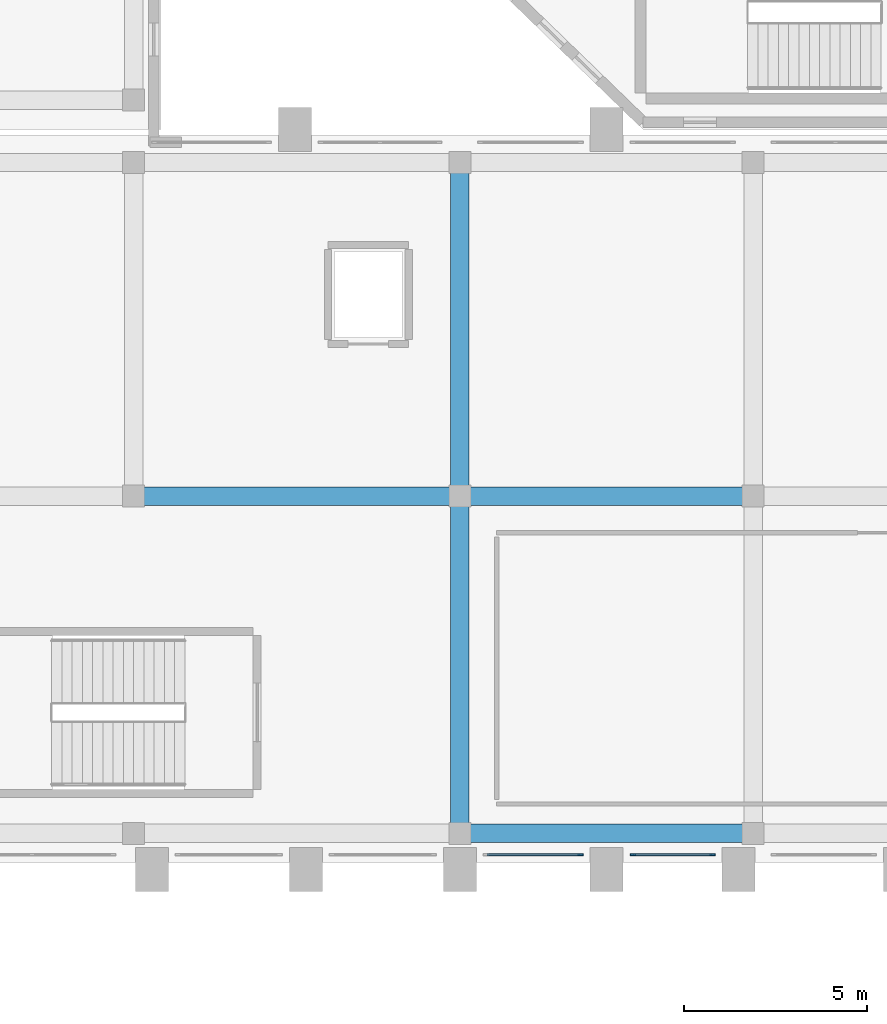
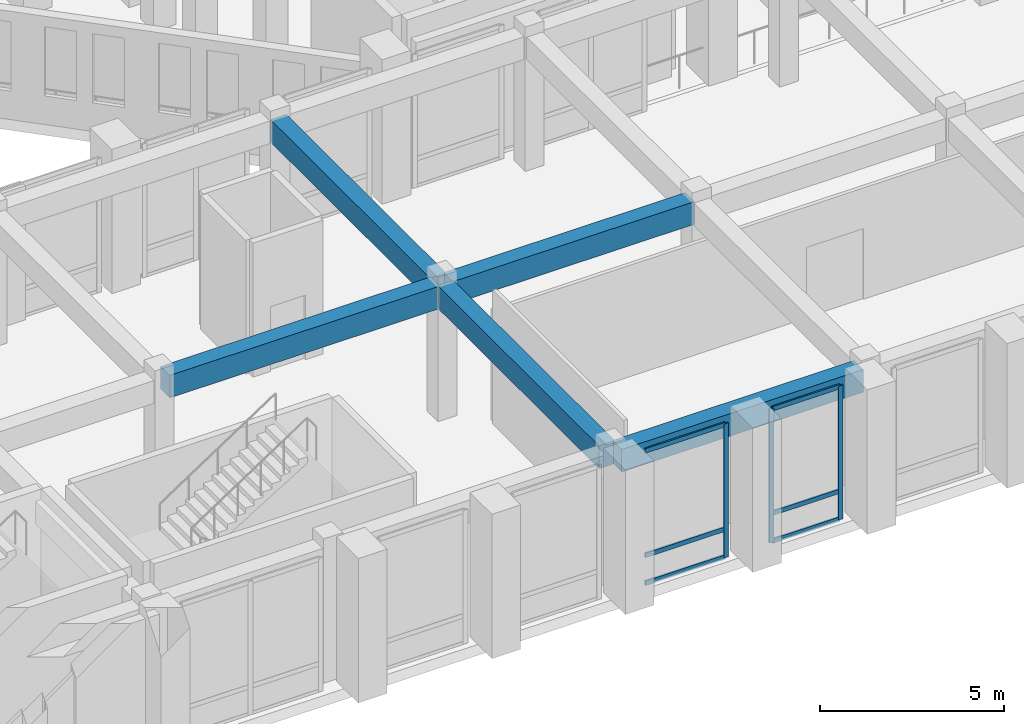
# One storey, part 15 of 126: 9 members, 5 beams, 2 elements without a shape of their own.
"""IFC4 building model written with IfcOpenShell, lengths in metres."""

from ifc_helpers import new_model, si_unit, derived_unit, direction, frame, origin, origin_2d, place, context, subcontext, project, spatial, rectangle, extrude, material, layer, layer_set, material_profile, profile_set, type_object, element, aggregate, save


model = new_model("IFC4")

# Units and contexts
model_context = context("Model", 3, precision=1e-05, world=origin(), true_north=direction((0.0, 1.0)))
body_context = subcontext(model_context, "Body", "Model", "MODEL_VIEW")
ifc_project = project(units=[si_unit("LENGTHUNIT", "METRE"), si_unit("AREAUNIT", "SQUARE_METRE"), si_unit("VOLUMEUNIT", "CUBIC_METRE"), si_unit("PLANEANGLEUNIT", "RADIAN"), si_unit("MASSUNIT", "GRAM", prefix="KILO"), derived_unit("THERMALTRANSMITTANCEUNIT", [(si_unit("MASSUNIT", "GRAM", prefix="KILO"), 1), (si_unit("TIMEUNIT", "SECOND"), -3), (si_unit("THERMODYNAMICTEMPERATUREUNIT", "KELVIN"), -1)])], contexts=[model_context])

# Site, building, storey
site_placement = place(None, origin())
site = spatial("IfcSite", under=ifc_project, at=site_placement, CompositionType="ELEMENT")
building_placement = place(site_placement, origin())
building = spatial("IfcBuilding", under=site, at=building_placement, Name="Valcora Ridge Arena", CompositionType="ELEMENT")
storey_placement = place(building_placement, frame((0.0, 0.0, 11.39990234375)))
storey = spatial("IfcBuildingStorey", under=building, at=storey_placement, Name="L02", CompositionType="ELEMENT", Elevation=11.39990234375)

# Beams
ifc_material_1 = material(Name="Concrete C40/50", Category="concrete")
ifc_material_profile_1 = material_profile(ifc_material_1, rectangle(XDim=0.5, YDim=0.75, at=origin_2d()), Name="RC 500x750")
ifc_profile_set_1 = profile_set([ifc_material_profile_1], Name="Concrete C40/50")
beam_type_1 = type_object("IfcBeamType", Name="TY-BEAM-B-RC500-X", PredefinedType="BEAM", material=ifc_profile_set_1)
beam_1_placement = place(storey_placement, frame((15.300048828125, 10.0, 4.0751953125), z_axis=(1.0, 0.0, 0.0), x_axis=(0.0, 1.0, 0.0)))
element("IfcBeam", 1, at=beam_1_placement, inside=storey, type_object=beam_type_1, Name="B-RC500-X BEM-B-RC500-X-0055", PredefinedType="BEAM", context=body_context, shape_type="SweptSolid", body=[
    extrude(rectangle(XDim=0.5, YDim=0.75, at=origin_2d()), origin(), (0.0, 0.0, 1.0), 8.5),
])
beam_2_placement = place(storey_placement, frame((24.199951171875, 10.0, 4.0751953125), z_axis=(1.0, 0.0, 0.0), x_axis=(0.0, 1.0, 0.0)))
element("IfcBeam", 2, at=beam_2_placement, inside=storey, type_object=beam_type_1, Name="B-RC500-X BEM-B-RC500-X-0056", PredefinedType="BEAM", context=body_context, shape_type="SweptSolid", body=[
    extrude(rectangle(XDim=0.5, YDim=0.75, at=origin_2d()), origin(), (0.0, 0.0, 1.0), 7.60009765625),
])
ifc_material_profile_2 = material_profile(ifc_material_1, rectangle(XDim=0.5, YDim=0.75, at=origin_2d()), Name="RC 500x750")
ifc_profile_set_2 = profile_set([ifc_material_profile_2], Name="Concrete C40/50")
beam_type_2 = type_object("IfcBeamType", Name="TY-BEAM-B-RC500-Y", PredefinedType="BEAM", material=ifc_profile_set_2)
beam_3_placement = place(storey_placement, frame((24.0, 1.0, 4.0751953125), z_axis=(0.0, 1.0, 0.0), x_axis=(-1.0, 0.0, 0.0)))
element("IfcBeam", 3, at=beam_3_placement, inside=storey, type_object=beam_type_2, Name="B-RC500-Y BEM-B-RC500-Y-0084", PredefinedType="BEAM", context=body_context, shape_type="SweptSolid", body=[
    extrude(rectangle(XDim=0.5, YDim=0.75, at=origin_2d()), origin(), (0.0, 0.0, 1.0), 8.800048828125),
])
beam_4_placement = place(storey_placement, frame((24.0, 10.199951171875, 4.0751953125), z_axis=(0.0, 1.0, 0.0), x_axis=(-1.0, 0.0, 0.0)))
element("IfcBeam", 4, at=beam_4_placement, inside=storey, type_object=beam_type_2, Name="B-RC500-Y BEM-B-RC500-Y-0085", PredefinedType="BEAM", context=body_context, shape_type="SweptSolid", body=[
    extrude(rectangle(XDim=0.5, YDim=0.75, at=origin_2d()), origin(), (0.0, 0.0, 1.0), 8.699951171875),
])
ifc_material_profile_3 = material_profile(ifc_material_1, rectangle(XDim=0.5, YDim=0.75, at=origin_2d()), Name="RC 500x750")
ifc_profile_set_3 = profile_set([ifc_material_profile_3], Name="Concrete C40/50")
beam_type_3 = type_object("IfcBeamType", Name="TY-BEAM-EB-RC500", PredefinedType="BEAM", material=ifc_profile_set_3)
beam_5_placement = place(storey_placement, frame((24.199951171875, 0.800048828125, 4.0751953125), z_axis=(1.0, 0.0, 0.0), x_axis=(0.0, 1.0, 0.0)))
element("IfcBeam", 5, at=beam_5_placement, inside=storey, type_object=beam_type_3, Name="EB-RC500 BEM-EB-RC500-0022", PredefinedType="BEAM", context=body_context, shape_type="SweptSolid", body=[
    extrude(rectangle(XDim=0.5, YDim=0.75, at=origin_2d()), origin(), (0.0, 0.0, 1.0), 7.60009765625),
])

# Curtain wall, member
ifc_material_2 = material(Name="Anodised dark bronze architectural aluminium 6063-T6", Category="aluminium")
ifc_layer_1 = layer(ifc_material_2, 0.14990234375, Name="Anodised dark bronze architectural aluminium 6063-T6")
ifc_layer_set_1 = layer_set([ifc_layer_1], Name="Anodised dark bronze architectural aluminium 6063-T6")
curtain_wall_type_1 = type_object("IfcCurtainWallType", Name="TY-CURTAINWALL-CW-V4-CLUB-026X44", PredefinedType="NOTDEFINED", material=ifc_layer_set_1)
curtain_wall_1_placement = place(storey_placement, origin())
curtain_wall_1 = element("IfcCurtainWall", 6, at=curtain_wall_1_placement, inside=storey, type_object=curtain_wall_type_1, Name="CW-V4-CLUB-026X44 CW-0240", PredefinedType="NOTDEFINED")
ifc_material_profile_4 = material_profile(ifc_material_2, rectangle(XDim=0.050048828125, YDim=0.14990234375, at=origin_2d()), Name="ALU MULLION 50x150")
ifc_profile_set_4 = profile_set([ifc_material_profile_4], Name="Anodised dark bronze architectural aluminium 6063-T6")
member_type_1 = type_object("IfcMemberType", Name="TY-MEM-CWM-50x150", PredefinedType="MULLION", material=ifc_profile_set_4)
member_1_placement = place(storey_placement, frame((27.284912109375, 0.219970703125, 0.0), z_axis=(0.0, 0.0, 1.0), x_axis=(0.0, 1.0, 0.0)))
member_1 = element("IfcMember", 7, at=member_1_placement, type_object=member_type_1, Name="CW-0240/CWM-50x150/M01", PredefinedType="MULLION", context=body_context, shape_type="SweptSolid", body=[
    extrude(rectangle(XDim=0.050048828125, YDim=0.14990234375, at=origin_2d()), origin(), (0.0, 0.0, 1.0), 4.4501953125),
])

# Curtain wall, members
ifc_layer_2 = layer(ifc_material_2, 0.14990234375, Name="Anodised dark bronze architectural aluminium 6063-T6")
ifc_layer_set_2 = layer_set([ifc_layer_2], Name="Anodised dark bronze architectural aluminium 6063-T6")
curtain_wall_type_2 = type_object("IfcCurtainWallType", Name="TY-CURTAINWALL-CW-V4-CLUB-022X44", PredefinedType="NOTDEFINED", material=ifc_layer_set_2)
curtain_wall_2_placement = place(storey_placement, origin())
curtain_wall_2 = element("IfcCurtainWall", 8, at=curtain_wall_2_placement, inside=storey, type_object=curtain_wall_type_2, Name="CW-V4-CLUB-022X44 CW-0241", PredefinedType="NOTDEFINED")
member_2_placement = place(storey_placement, frame((28.715087890625, 0.219970703125, 0.0), z_axis=(0.0, 0.0, 1.0), x_axis=(0.0, 1.0, 0.0)))
member_2 = element("IfcMember", 9, at=member_2_placement, type_object=member_type_1, Name="CW-0241/CWM-50x150/M00", PredefinedType="MULLION", context=body_context, shape_type="SweptSolid", body=[
    extrude(rectangle(XDim=0.050048828125, YDim=0.14990234375, at=origin_2d()), origin(), (0.0, 0.0, 1.0), 4.4501953125),
])
member_3_placement = place(storey_placement, frame((30.885009765625, 0.219970703125, 0.0), z_axis=(0.0, 0.0, 1.0), x_axis=(0.0, 1.0, 0.0)))
member_3 = element("IfcMember", 10, at=member_3_placement, type_object=member_type_1, Name="CW-0241/CWM-50x150/M01", PredefinedType="MULLION", context=body_context, shape_type="SweptSolid", body=[
    extrude(rectangle(XDim=0.050048828125, YDim=0.14990234375, at=origin_2d()), origin(), (0.0, 0.0, 1.0), 4.4501953125),
])

# Member
ifc_material_profile_5 = material_profile(ifc_material_2, rectangle(XDim=0.050048828125, YDim=0.14990234375, at=origin_2d()), Name="ALU TRANSOM 50x150")
ifc_profile_set_5 = profile_set([ifc_material_profile_5], Name="Anodised dark bronze architectural aluminium 6063-T6")
member_type_2 = type_object("IfcMemberType", Name="TY-MEM-CWT-50x150", PredefinedType="USERDEFINED", material=ifc_profile_set_5)
member_4_placement = place(storey_placement, frame((24.739990234375, 0.219970703125, 0.025146484375), z_axis=(1.0, 0.0, 0.0), x_axis=(0.0, 1.0, 0.0)))
member_4 = element("IfcMember", 11, at=member_4_placement, type_object=member_type_2, Name="CW-0240/CWT-50x150/T00-00", ObjectType="TRANSOM", PredefinedType="USERDEFINED", context=body_context, shape_type="SweptSolid", body=[
    extrude(rectangle(XDim=0.050048828125, YDim=0.14990234375, at=origin_2d()), origin(), (0.0, 0.0, 1.0), 2.52001953125),
])

member_5_placement = place(storey_placement, frame((24.739990234375, 0.219970703125, 0.9501953125), z_axis=(1.0, 0.0, 0.0), x_axis=(0.0, 1.0, 0.0)))
member_5 = element("IfcMember", 12, at=member_5_placement, type_object=member_type_2, Name="CW-0240/CWT-50x150/T00-01", ObjectType="TRANSOM", PredefinedType="USERDEFINED", context=body_context, shape_type="SweptSolid", body=[
    extrude(rectangle(XDim=0.050048828125, YDim=0.14990234375, at=origin_2d()), origin(), (0.0, 0.0, 1.0), 2.52001953125),
])

member_6_placement = place(storey_placement, frame((24.739990234375, 0.219970703125, 4.425048828125), z_axis=(1.0, 0.0, 0.0), x_axis=(0.0, 1.0, 0.0)))
member_6 = element("IfcMember", 13, at=member_6_placement, type_object=member_type_2, Name="CW-0240/CWT-50x150/T00-02", ObjectType="TRANSOM", PredefinedType="USERDEFINED", context=body_context, shape_type="SweptSolid", body=[
    extrude(rectangle(XDim=0.050048828125, YDim=0.14990234375, at=origin_2d()), origin(), (0.0, 0.0, 1.0), 2.52001953125),
])

aggregate(curtain_wall_1, [member_1, member_4, member_5, member_6])

member_7_placement = place(storey_placement, frame((28.739990234375, 0.219970703125, 0.025146484375), z_axis=(1.0, 0.0, 0.0), x_axis=(0.0, 1.0, 0.0)))
member_7 = element("IfcMember", 14, at=member_7_placement, type_object=member_type_2, Name="CW-0241/CWT-50x150/T00-00", ObjectType="TRANSOM", PredefinedType="USERDEFINED", context=body_context, shape_type="SweptSolid", body=[
    extrude(rectangle(XDim=0.050048828125, YDim=0.14990234375, at=origin_2d()), origin(), (0.0, 0.0, 1.0), 2.1201171875),
])

member_8_placement = place(storey_placement, frame((28.739990234375, 0.219970703125, 0.9501953125), z_axis=(1.0, 0.0, 0.0), x_axis=(0.0, 1.0, 0.0)))
member_8 = element("IfcMember", 15, at=member_8_placement, type_object=member_type_2, Name="CW-0241/CWT-50x150/T00-01", ObjectType="TRANSOM", PredefinedType="USERDEFINED", context=body_context, shape_type="SweptSolid", body=[
    extrude(rectangle(XDim=0.050048828125, YDim=0.14990234375, at=origin_2d()), origin(), (0.0, 0.0, 1.0), 2.1201171875),
])

member_9_placement = place(storey_placement, frame((28.739990234375, 0.219970703125, 4.425048828125), z_axis=(1.0, 0.0, 0.0), x_axis=(0.0, 1.0, 0.0)))
member_9 = element("IfcMember", 16, at=member_9_placement, type_object=member_type_2, Name="CW-0241/CWT-50x150/T00-02", ObjectType="TRANSOM", PredefinedType="USERDEFINED", context=body_context, shape_type="SweptSolid", body=[
    extrude(rectangle(XDim=0.050048828125, YDim=0.14990234375, at=origin_2d()), origin(), (0.0, 0.0, 1.0), 2.1201171875),
])

aggregate(curtain_wall_2, [member_2, member_3, member_7, member_8, member_9])

save(model, "model.ifc")
